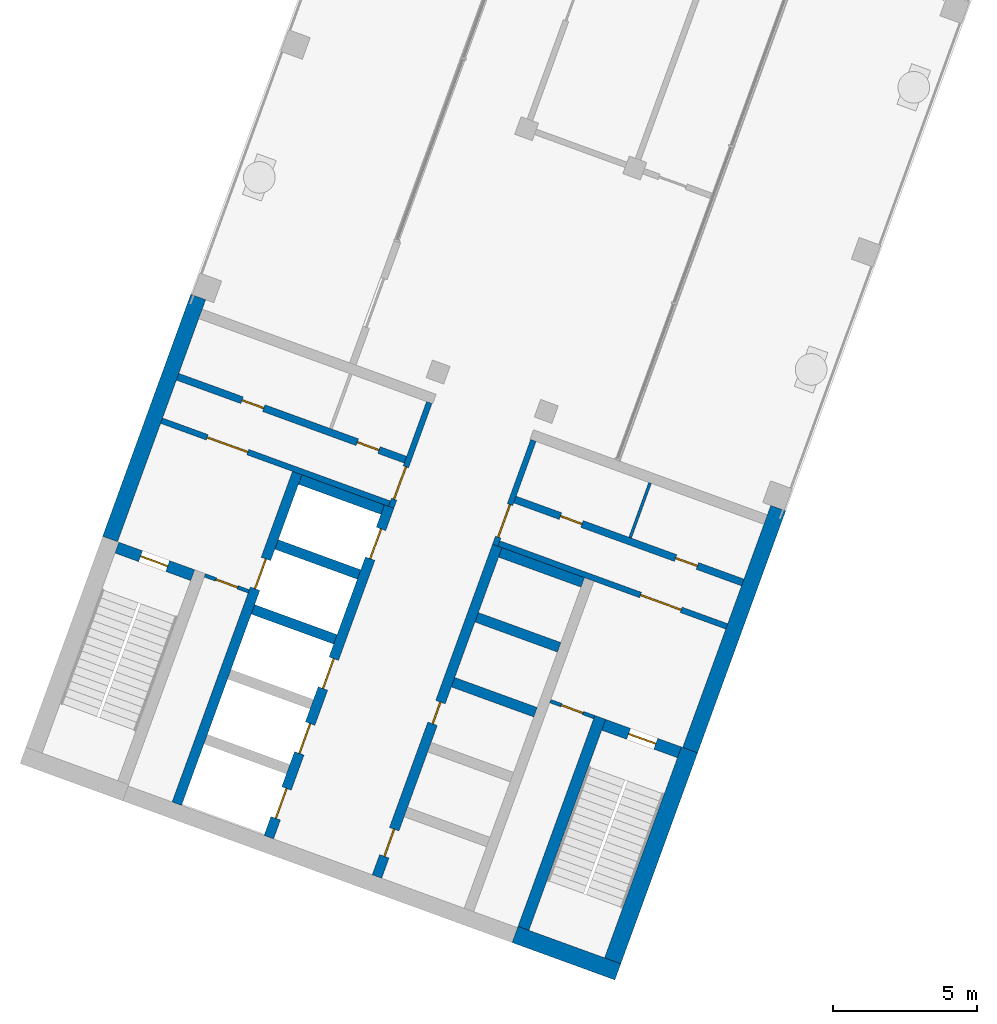
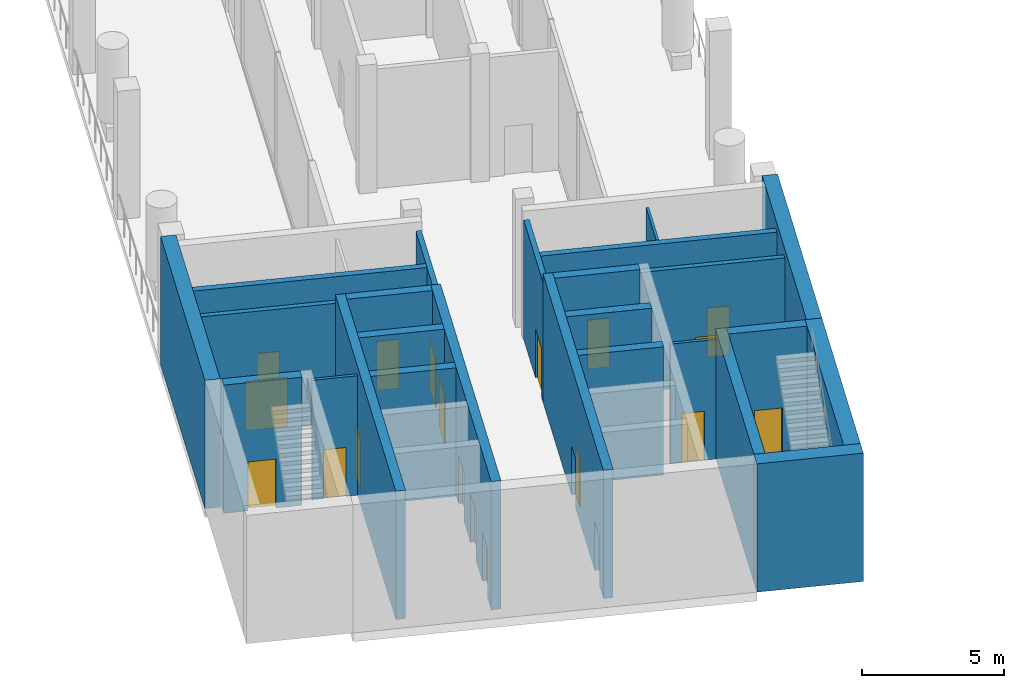
# One storey, part 8 of 17: 25 walls, 19 doors, 19 openings.
"""IFC4 building model written with IfcOpenShell, lengths in metres."""

from ifc_helpers import new_model, si_unit, direction, frame, frame_2d, origin, place, context, subcontext, project, spatial, rectangle, extrude, material, layer, layer_set, type_object, element, fill, save


model = new_model("IFC4")

# Units and contexts
model_context = context("Model", 3, precision=1e-05, world=origin(), true_north=direction((0.0, 1.0)))
body_context = subcontext(model_context, "Body", "Model", "MODEL_VIEW")
ifc_project = project(units=[si_unit("LENGTHUNIT", "METRE"), si_unit("AREAUNIT", "SQUARE_METRE"), si_unit("VOLUMEUNIT", "CUBIC_METRE"), si_unit("PLANEANGLEUNIT", "RADIAN"), si_unit("MASSUNIT", "GRAM", prefix="KILO")], contexts=[model_context])

# Site, building, storey
site_placement = place(None, origin())
site = spatial("IfcSite", under=ifc_project, at=site_placement, CompositionType="ELEMENT")
building_placement = place(site_placement, origin())
building = spatial("IfcBuilding", under=site, at=building_placement, Name="Skarvind Civic Tower", CompositionType="ELEMENT")
storey_placement = place(building_placement, frame((0.0, 0.0, 182.5)))
storey = spatial("IfcBuildingStorey", under=building, at=storey_placement, Name="L43", CompositionType="ELEMENT", Elevation=182.5)

# Wall, opening, door
ifc_material_1 = material(Name="Fire-rated masonry partition", Category="masonry")
ifc_layer_1 = layer(ifc_material_1, 0.199951171875)
ifc_layer_set_1 = layer_set([ifc_layer_1], Name="Core enclosure wall 200")
wall_type_1 = type_object("IfcWallType", Name="Core enclosure wall 200", PredefinedType="PARTITIONING", material=ifc_layer_set_1)
wall_1_placement = place(storey_placement, frame((31.45947265625, 93.67822265625, 0.0), z_axis=(0.0, 0.0, 1.0), x_axis=(0.341985870128, 0.939705094502, 0.0)))
wall_1 = element("IfcWall", 1, at=wall_1_placement, inside=storey, type_object=wall_type_1, Name="Core wall C2", PredefinedType="PARTITIONING", context=body_context, shape_type="SweptSolid", body=[
    extrude(rectangle(XDim=3.875, YDim=0.199951171875, at=frame_2d((1.9375, 0.0))), origin(), (0.0, 0.0, 1.0), 5.125),
])
opening_1_placement = place(wall_1_placement, frame((0.300048828125, 0.0, 0.0)))
opening_1 = element("IfcOpeningElement", 2, at=opening_1_placement, cuts=wall_1, Name="Opening D-L43-C2-07", PredefinedType="OPENING", context=body_context, shape_type="SweptSolid", body=[
    extrude(rectangle(XDim=1.199951171875, YDim=2.10009765625, at=frame_2d((0.60009765625, 1.050048828125))), frame((0.0, 0.10986328125, 0.0), z_axis=(0.0, -1.0, 0.0), x_axis=(1.0, 0.0, 0.0)), (0.0, 0.0, 1.0), 0.219970703125),
])
ifc_material_2 = material(Name="Fire-rated steel door", Category="steel")
door_type_1 = type_object("IfcDoorType", Name="Core lobby door 1200", OperationType="NOTDEFINED", PredefinedType="DOOR", material=ifc_material_2)
door_1_placement = place(opening_1_placement, origin())
door_1 = element("IfcDoor", 3, at=door_1_placement, inside=storey, type_object=door_type_1, Name="Fire door", OperationType="DOUBLE_DOOR_SINGLE_SWING", OverallHeight=2.10009765625, OverallWidth=1.199951171875, PredefinedType="DOOR", context=body_context, shape_type="SweptSolid", body=[
    extrude(rectangle(XDim=1.199951171875, YDim=2.10009765625, at=frame_2d((0.60009765625, 1.050048828125))), frame((0.0, 0.02490234375, 0.0), z_axis=(0.0, -1.0, 0.0), x_axis=(1.0, 0.0, 0.0)), (0.0, 0.0, 1.0), 0.050048828125),
])
fill(opening_1, door_1)

wall_2_placement = place(storey_placement, frame((23.482666015625, 96.68798828125, 0.0), z_axis=(0.0, 0.0, 1.0), x_axis=(0.939691007314, -0.342024576271, 0.0)))
wall_2 = element("IfcWall", 4, at=wall_2_placement, inside=storey, type_object=wall_type_1, Name="Core wall C2", PredefinedType="PARTITIONING", context=body_context, shape_type="SweptSolid", body=[
    extrude(rectangle(XDim=8.425048828125, YDim=0.199951171875, at=frame_2d((4.21240234375, 0.0))), origin(), (0.0, 0.0, 1.0), 5.125),
])
opening_2_placement = place(wall_2_placement, frame((1.6875, 0.0, 0.0)))
opening_2 = element("IfcOpeningElement", 5, at=opening_2_placement, cuts=wall_2, Name="Opening D-L43-C2-08", PredefinedType="OPENING", context=body_context, shape_type="SweptSolid", body=[
    extrude(rectangle(XDim=1.5, YDim=2.10009765625, at=frame_2d((0.75, 1.050048828125))), frame((0.0, 0.10986328125, 0.0), z_axis=(0.0, -1.0, 0.0), x_axis=(1.0, 0.0, 0.0)), (0.0, 0.0, 1.0), 0.219970703125),
])
door_type_2 = type_object("IfcDoorType", Name="Fire door 1500", OperationType="NOTDEFINED", PredefinedType="DOOR", material=ifc_material_2)
door_2_placement = place(opening_2_placement, origin())
door_2 = element("IfcDoor", 6, at=door_2_placement, inside=storey, type_object=door_type_2, Name="Fire door", OperationType="DOUBLE_DOOR_SINGLE_SWING", OverallHeight=2.10009765625, OverallWidth=1.5, PredefinedType="DOOR", context=body_context, shape_type="SweptSolid", body=[
    extrude(rectangle(XDim=1.5, YDim=2.10009765625, at=frame_2d((0.75, 1.050048828125))), frame((0.0, 0.02490234375, 0.0), z_axis=(0.0, -1.0, 0.0), x_axis=(1.0, 0.0, 0.0)), (0.0, 0.0, 1.0), 0.050048828125),
])
fill(opening_2, door_2)

wall_3_placement = place(storey_placement, frame((36.402587890625, 96.0029296875, 0.0), z_axis=(0.0, 0.0, 1.0), x_axis=(-0.342041503764, -0.939684845947, 0.0)))
wall_3 = element("IfcWall", 7, at=wall_3_placement, inside=storey, type_object=wall_type_1, Name="Core wall C2", PredefinedType="PARTITIONING", context=body_context, shape_type="SweptSolid", body=[
    extrude(rectangle(XDim=3.875, YDim=0.199951171875, at=frame_2d((1.9375, 0.0))), origin(), (0.0, 0.0, 1.0), 5.125),
])
opening_3_placement = place(wall_3_placement, frame((2.375, 0.0, 0.0)))
opening_3 = element("IfcOpeningElement", 8, at=opening_3_placement, cuts=wall_3, Name="Opening D-L43-C2-13", PredefinedType="OPENING", context=body_context, shape_type="SweptSolid", body=[
    extrude(rectangle(XDim=1.199951171875, YDim=2.10009765625, at=frame_2d((0.60009765625, 1.050048828125))), frame((0.0, 0.10986328125, 0.0), z_axis=(0.0, -1.0, 0.0), x_axis=(1.0, 0.0, 0.0)), (0.0, 0.0, 1.0), 0.219970703125),
])
door_3_placement = place(opening_3_placement, origin())
door_3 = element("IfcDoor", 9, at=door_3_placement, inside=storey, type_object=door_type_1, Name="Fire door", OperationType="DOUBLE_DOOR_SINGLE_SWING", OverallHeight=2.10009765625, OverallWidth=1.199951171875, PredefinedType="DOOR", context=body_context, shape_type="SweptSolid", body=[
    extrude(rectangle(XDim=1.199951171875, YDim=2.10009765625, at=frame_2d((0.60009765625, 1.050048828125))), frame((0.0, 0.02490234375, 0.0), z_axis=(0.0, -1.0, 0.0), x_axis=(1.0, 0.0, 0.0)), (0.0, 0.0, 1.0), 0.050048828125),
])
fill(opening_3, door_3)

wall_4_placement = place(storey_placement, frame((35.205322265625, 92.42138671875, 0.0), z_axis=(0.0, 0.0, 1.0), x_axis=(0.939691007314, -0.342024576271, 0.0)))
wall_4 = element("IfcWall", 10, at=wall_4_placement, inside=storey, type_object=wall_type_1, Name="Core wall C2", PredefinedType="PARTITIONING", context=body_context, shape_type="SweptSolid", body=[
    extrude(rectangle(XDim=8.425048828125, YDim=0.199951171875, at=frame_2d((4.21240234375, 0.0))), origin(), (0.0, 0.0, 1.0), 5.125),
])
opening_4_placement = place(wall_4_placement, frame((5.237548828125, 0.0, 0.0)))
opening_4 = element("IfcOpeningElement", 11, at=opening_4_placement, cuts=wall_4, Name="Opening D-L43-C2-14", PredefinedType="OPENING", context=body_context, shape_type="SweptSolid", body=[
    extrude(rectangle(XDim=1.5, YDim=2.10009765625, at=frame_2d((0.75, 1.050048828125))), frame((0.0, 0.10986328125, 0.0), z_axis=(0.0, -1.0, 0.0), x_axis=(1.0, 0.0, 0.0)), (0.0, 0.0, 1.0), 0.219970703125),
])
door_4_placement = place(opening_4_placement, origin())
door_4 = element("IfcDoor", 12, at=door_4_placement, inside=storey, type_object=door_type_2, Name="Fire door", OperationType="DOUBLE_DOOR_SINGLE_SWING", OverallHeight=2.10009765625, OverallWidth=1.5, PredefinedType="DOOR", context=body_context, shape_type="SweptSolid", body=[
    extrude(rectangle(XDim=1.5, YDim=2.10009765625, at=frame_2d((0.75, 1.050048828125))), frame((0.0, 0.02490234375, 0.0), z_axis=(0.0, -1.0, 0.0), x_axis=(1.0, 0.0, 0.0)), (0.0, 0.0, 1.0), 0.050048828125),
])
fill(opening_4, door_4)

# Wall
ifc_material_3 = material(Name="Fire-rated plasterboard partition")
ifc_layer_2 = layer(ifc_material_3, 0.10009765625)
ifc_layer_set_2 = layer_set([ifc_layer_2], Name="Core partition wall 100")
wall_type_2 = type_object("IfcWallType", Name="Core partition wall 100", PredefinedType="PARTITIONING", material=ifc_layer_set_2)
wall_5_placement = place(storey_placement, frame((40.457275390625, 94.527099609375, 0.0), z_axis=(0.0, 0.0, 1.0), x_axis=(-0.342043138314, -0.939684250976, 0.0)))
element("IfcWall", 13, at=wall_5_placement, inside=storey, type_object=wall_type_2, Name="Core wall C2", PredefinedType="PARTITIONING", context=body_context, shape_type="SweptSolid", body=[
    extrude(rectangle(XDim=2.02490234375, YDim=0.10009765625, at=frame_2d((1.012451171875, 0.0))), origin(), (0.0, 0.0, 1.0), 5.125),
])

# Wall, openings, doors
ifc_material_4 = material(Name="Concrete C60", Category="concrete")
ifc_layer_3 = layer(ifc_material_4, 0.35009765625)
ifc_layer_set_3 = layer_set([ifc_layer_3], Name="Core wall 350 C60")
wall_type_3 = type_object("IfcWallType", Name="Core wall 350 C60", PredefinedType="SHEAR", material=ifc_layer_set_3)
wall_6_placement = place(storey_placement, frame((30.966552734375, 80.84814453125, 0.0), z_axis=(0.0, 0.0, 1.0), x_axis=(0.34201563943, 0.939694260058, 0.0)))
wall_6 = element("IfcWall", 14, at=wall_6_placement, inside=storey, type_object=wall_type_3, Name="Core wall C2 south lift row front L43", PredefinedType="SHEAR", context=body_context, shape_type="SweptSolid", body=[
    extrude(rectangle(XDim=12.22509765625, YDim=0.35009765625, at=frame_2d((6.112548828125, 0.0))), origin(), (0.0, 0.0, 1.0), 5.5),
])
opening_5_placement = place(wall_6_placement, frame((0.75, 0.0, 0.0)))
opening_5 = element("IfcOpeningElement", 15, at=opening_5_placement, cuts=wall_6, Name="Opening D-L43-C2-05", PredefinedType="OPENING", context=body_context, shape_type="SweptSolid", body=[
    extrude(rectangle(XDim=1.0, YDim=2.10009765625, at=frame_2d((0.5, 1.050048828125))), frame((0.0, 0.18505859375, 0.0), z_axis=(0.0, -1.0, 0.0), x_axis=(1.0, 0.0, 0.0)), (0.0, 0.0, 1.0), 0.3701171875),
])
opening_6_placement = place(wall_6_placement, frame((5.64990234375, 0.0, 0.0)))
opening_6 = element("IfcOpeningElement", 16, at=opening_6_placement, cuts=wall_6, Name="Opening D-L43-C2-06", PredefinedType="OPENING", context=body_context, shape_type="SweptSolid", body=[
    extrude(rectangle(XDim=0.800048828125, YDim=2.10009765625, at=frame_2d((0.39990234375, 1.050048828125))), frame((0.0, 0.18505859375, 0.0), z_axis=(0.0, -1.0, 0.0), x_axis=(1.0, 0.0, 0.0)), (0.0, 0.0, 1.0), 0.3701171875),
])
door_type_3 = type_object("IfcDoorType", Name="Core riser door 800", OperationType="NOTDEFINED", PredefinedType="DOOR", material=ifc_material_2)
door_5_placement = place(opening_6_placement, origin())
door_5 = element("IfcDoor", 17, at=door_5_placement, inside=storey, type_object=door_type_3, Name="Riser door", OperationType="SINGLE_SWING_RIGHT", OverallHeight=2.10009765625, OverallWidth=0.800048828125, PredefinedType="DOOR", context=body_context, shape_type="SweptSolid", body=[
    extrude(rectangle(XDim=0.800048828125, YDim=2.10009765625, at=frame_2d((0.39990234375, 1.050048828125))), frame((0.0, 0.02490234375, 0.0), z_axis=(0.0, -1.0, 0.0), x_axis=(1.0, 0.0, 0.0)), (0.0, 0.0, 1.0), 0.050048828125),
])
fill(opening_6, door_5)
door_type_4 = type_object("IfcDoorType", Name="Fire door 1000", OperationType="NOTDEFINED", PredefinedType="DOOR", material=ifc_material_2)
door_6_placement = place(opening_5_placement, origin())
door_6 = element("IfcDoor", 18, at=door_6_placement, inside=storey, type_object=door_type_4, Name="Fire door", OperationType="SINGLE_SWING_LEFT", OverallHeight=2.10009765625, OverallWidth=1.0, PredefinedType="DOOR", context=body_context, shape_type="SweptSolid", body=[
    extrude(rectangle(XDim=1.0, YDim=2.10009765625, at=frame_2d((0.5, 1.050048828125))), frame((0.0, 0.02490234375, 0.0), z_axis=(0.0, -1.0, 0.0), x_axis=(1.0, 0.0, 0.0)), (0.0, 0.0, 1.0), 0.050048828125),
])
fill(opening_5, door_6)

# Walls
for number, where, z_axis, x_axis, name in (
    (19, (36.4765625, 86.557861328125, 0.0), (0.0, 0.0, 1.0), (-0.939683528043, 0.3420451244, 0.0), "Core wall C2 south lift row division 3 L43"),
    (20, (37.297607421875, 88.813232421875, 0.0), (0.0, 0.0, 1.0), (-0.939692892192, 0.342019397644, 0.0), "Core wall C2 south lift row division 4 L43"),
    (21, (38.118408203125, 91.068359375, 0.0), (0.0, 0.0, 1.0), (-0.939692892192, 0.342019397644, 0.0), "Core wall C2 south lift row division 5 L43"),
):
    element("IfcWall", number, at=place(storey_placement, frame(where, z_axis=z_axis, x_axis=x_axis)), inside=storey, type_object=wall_type_3, Name=name, PredefinedType="SHEAR", context=body_context, shape_type="SweptSolid", body=[
        extrude(rectangle(XDim=3.050048828125, YDim=0.35009765625, at=frame_2d((1.52490234375, 0.0))), origin(), (0.0, 0.0, 1.0), 5.5),
    ])

# Wall, openings, doors
wall_7_placement = place(storey_placement, frame((27.207763671875, 82.21630859375, 0.0), z_axis=(0.0, 0.0, 1.0), x_axis=(0.34201563943, 0.939694260058, 0.0)))
wall_7 = element("IfcWall", 22, at=wall_7_placement, inside=storey, type_object=wall_type_3, Name="Core wall C2 north lift row front L43", PredefinedType="SHEAR", context=body_context, shape_type="SweptSolid", body=[
    extrude(rectangle(XDim=12.22509765625, YDim=0.35009765625, at=frame_2d((6.112548828125, 0.0))), origin(), (0.0, 0.0, 1.0), 5.5),
])
opening_7_placement = place(wall_7_placement, frame((0.699951171875, 0.0, 0.0)))
opening_7 = element("IfcOpeningElement", 23, at=opening_7_placement, cuts=wall_7, Name="Opening LD45201", PredefinedType="OPENING", context=body_context, shape_type="SweptSolid", body=[
    extrude(rectangle(XDim=1.10009765625, YDim=2.10009765625, at=frame_2d((0.550048828125, 1.050048828125))), frame((0.0, 0.18505859375, 0.0), z_axis=(0.0, -1.0, 0.0), x_axis=(1.0, 0.0, 0.0)), (0.0, 0.0, 1.0), 0.3701171875),
])
opening_8_placement = place(wall_7_placement, frame((3.10009765625, 0.0, 0.0)))
opening_8 = element("IfcOpeningElement", 24, at=opening_8_placement, cuts=wall_7, Name="Opening LD45202", PredefinedType="OPENING", context=body_context, shape_type="SweptSolid", body=[
    extrude(rectangle(XDim=1.10009765625, YDim=2.10009765625, at=frame_2d((0.550048828125, 1.050048828125))), frame((0.0, 0.18505859375, 0.0), z_axis=(0.0, -1.0, 0.0), x_axis=(1.0, 0.0, 0.0)), (0.0, 0.0, 1.0), 0.3701171875),
])
opening_9_placement = place(wall_7_placement, frame((5.5, 0.0, 0.0)))
opening_9 = element("IfcOpeningElement", 25, at=opening_9_placement, cuts=wall_7, Name="Opening LD45203", PredefinedType="OPENING", context=body_context, shape_type="SweptSolid", body=[
    extrude(rectangle(XDim=1.10009765625, YDim=2.10009765625, at=frame_2d((0.550048828125, 1.050048828125))), frame((0.0, 0.18505859375, 0.0), z_axis=(0.0, -1.0, 0.0), x_axis=(1.0, 0.0, 0.0)), (0.0, 0.0, 1.0), 0.3701171875),
])
opening_10_placement = place(wall_7_placement, frame((10.300048828125, 0.0, 0.0)))
opening_10 = element("IfcOpeningElement", 26, at=opening_10_placement, cuts=wall_7, Name="Opening LD45205", PredefinedType="OPENING", context=body_context, shape_type="SweptSolid", body=[
    extrude(rectangle(XDim=1.10009765625, YDim=2.10009765625, at=frame_2d((0.550048828125, 1.050048828125))), frame((0.0, 0.18505859375, 0.0), z_axis=(0.0, -1.0, 0.0), x_axis=(1.0, 0.0, 0.0)), (0.0, 0.0, 1.0), 0.3701171875),
])
ifc_material_5 = material(Name="Stainless steel landing door", Category="steel")
door_type_5 = type_object("IfcDoorType", Name="Lift landing door 1100", OperationType="DOUBLE_DOOR_SLIDING", PredefinedType="DOOR", material=ifc_material_5)
door_7_placement = place(opening_7_placement, origin())
door_7 = element("IfcDoor", 27, at=door_7_placement, inside=storey, type_object=door_type_5, Name="Lift landing door", OperationType="DOUBLE_DOOR_SLIDING", OverallHeight=2.10009765625, OverallWidth=1.10009765625, PredefinedType="DOOR", context=body_context, shape_type="SweptSolid", body=[
    extrude(rectangle(XDim=1.10009765625, YDim=2.10009765625, at=frame_2d((0.550048828125, 1.050048828125))), frame((0.0, 0.02490234375, 0.0), z_axis=(0.0, -1.0, 0.0), x_axis=(1.0, 0.0, 0.0)), (0.0, 0.0, 1.0), 0.050048828125),
])
fill(opening_7, door_7)
door_8_placement = place(opening_8_placement, origin())
door_8 = element("IfcDoor", 28, at=door_8_placement, inside=storey, type_object=door_type_5, Name="Lift landing door", OperationType="DOUBLE_DOOR_SLIDING", OverallHeight=2.10009765625, OverallWidth=1.10009765625, PredefinedType="DOOR", context=body_context, shape_type="SweptSolid", body=[
    extrude(rectangle(XDim=1.10009765625, YDim=2.10009765625, at=frame_2d((0.550048828125, 1.050048828125))), frame((0.0, 0.02490234375, 0.0), z_axis=(0.0, -1.0, 0.0), x_axis=(1.0, 0.0, 0.0)), (0.0, 0.0, 1.0), 0.050048828125),
])
fill(opening_8, door_8)
door_9_placement = place(opening_9_placement, origin())
door_9 = element("IfcDoor", 29, at=door_9_placement, inside=storey, type_object=door_type_5, Name="Lift landing door", OperationType="DOUBLE_DOOR_SLIDING", OverallHeight=2.10009765625, OverallWidth=1.10009765625, PredefinedType="DOOR", context=body_context, shape_type="SweptSolid", body=[
    extrude(rectangle(XDim=1.10009765625, YDim=2.10009765625, at=frame_2d((0.550048828125, 1.050048828125))), frame((0.0, 0.02490234375, 0.0), z_axis=(0.0, -1.0, 0.0), x_axis=(1.0, 0.0, 0.0)), (0.0, 0.0, 1.0), 0.050048828125),
])
fill(opening_9, door_9)
door_10_placement = place(opening_10_placement, origin())
door_10 = element("IfcDoor", 30, at=door_10_placement, inside=storey, type_object=door_type_5, Name="Lift landing door", OperationType="DOUBLE_DOOR_SLIDING", OverallHeight=2.10009765625, OverallWidth=1.10009765625, PredefinedType="DOOR", context=body_context, shape_type="SweptSolid", body=[
    extrude(rectangle(XDim=1.10009765625, YDim=2.10009765625, at=frame_2d((0.550048828125, 1.050048828125))), frame((0.0, 0.02490234375, 0.0), z_axis=(0.0, -1.0, 0.0), x_axis=(1.0, 0.0, 0.0)), (0.0, 0.0, 1.0), 0.050048828125),
])
fill(opening_10, door_10)

# Wall, opening, door
wall_8_placement = place(storey_placement, frame((24.0126953125, 83.379150390625, 0.0), z_axis=(0.0, 0.0, 1.0), x_axis=(0.34201563943, 0.939694260058, 0.0)))
wall_8 = element("IfcWall", 31, at=wall_8_placement, inside=storey, type_object=wall_type_3, Name="Core wall C2 north lift row back L43", PredefinedType="SHEAR", context=body_context, shape_type="SweptSolid", body=[
    extrude(rectangle(XDim=12.22509765625, YDim=0.35009765625, at=frame_2d((6.112548828125, 0.0))), origin(), (0.0, 0.0, 1.0), 5.5),
])
opening_11_placement = place(wall_8_placement, frame((7.949951171875, 0.0, 0.0)))
opening_11 = element("IfcOpeningElement", 32, at=opening_11_placement, cuts=wall_8, Name="Opening LD45204", PredefinedType="OPENING", context=body_context, shape_type="SweptSolid", body=[
    extrude(rectangle(XDim=1.10009765625, YDim=2.10009765625, at=frame_2d((0.550048828125, 1.050048828125))), frame((0.0, 0.18505859375, 0.0), z_axis=(0.0, -1.0, 0.0), x_axis=(1.0, 0.0, 0.0)), (0.0, 0.0, 1.0), 0.3701171875),
])
door_11_placement = place(opening_11_placement, origin())
door_11 = element("IfcDoor", 33, at=door_11_placement, inside=storey, type_object=door_type_5, Name="Lift landing door", OperationType="DOUBLE_DOOR_SLIDING", OverallHeight=2.10009765625, OverallWidth=1.10009765625, PredefinedType="DOOR", context=body_context, shape_type="SweptSolid", body=[
    extrude(rectangle(XDim=1.10009765625, YDim=2.10009765625, at=frame_2d((0.550048828125, 1.050048828125))), frame((0.0, 0.02490234375, 0.0), z_axis=(0.0, -1.0, 0.0), x_axis=(1.0, 0.0, 0.0)), (0.0, 0.0, 1.0), 0.050048828125),
])
fill(opening_11, door_11)

# Walls
wall_9_placement = place(storey_placement, frame((29.52294921875, 89.0888671875, 0.0), z_axis=(0.0, 0.0, 1.0), x_axis=(-0.939692892192, 0.342019397644, 0.0)))
element("IfcWall", 34, at=wall_9_placement, inside=storey, type_object=wall_type_3, Name="Core wall C2 north lift row division 3 L43", PredefinedType="SHEAR", context=body_context, shape_type="SweptSolid", body=[
    extrude(rectangle(XDim=3.050048828125, YDim=0.35009765625, at=frame_2d((1.52490234375, 0.0))), origin(), (0.0, 0.0, 1.0), 5.5),
])
wall_10_placement = place(storey_placement, frame((30.34375, 91.34423828125, 0.0), z_axis=(0.0, 0.0, 1.0), x_axis=(-0.939709254651, 0.341974438698, 0.0)))
element("IfcWall", 35, at=wall_10_placement, inside=storey, type_object=wall_type_3, Name="Core wall C2 north lift row division 4 L43", PredefinedType="SHEAR", context=body_context, shape_type="SweptSolid", body=[
    extrude(rectangle(XDim=3.0498046875, YDim=0.35009765625, at=frame_2d((1.52490234375, 0.0))), origin(), (0.0, 0.0, 1.0), 5.5),
])
wall_11_placement = place(storey_placement, frame((31.16455078125, 93.599365234375, 0.0), z_axis=(0.0, 0.0, 1.0), x_axis=(-0.939683528043, 0.3420451244, 0.0)))
element("IfcWall", 36, at=wall_11_placement, inside=storey, type_object=wall_type_3, Name="Core wall C2 north lift row division 5 L43", PredefinedType="SHEAR", context=body_context, shape_type="SweptSolid", body=[
    extrude(rectangle(XDim=3.050048828125, YDim=0.35009765625, at=frame_2d((1.52490234375, 0.0))), origin(), (0.0, 0.0, 1.0), 5.5),
])
ifc_layer_4 = layer(ifc_material_4, 0.39990234375)
ifc_layer_set_4 = layer_set([ifc_layer_4], Name="Core wall 400 C60")
wall_type_4 = type_object("IfcWallType", Name="Core wall 400 C60", PredefinedType="SHEAR", material=ifc_layer_set_4)
wall_12_placement = place(storey_placement, frame((36.057861328125, 79.04833984375, 0.0), z_axis=(0.0, 0.0, 1.0), x_axis=(0.342016982193, 0.939693771338, 0.0)))
element("IfcWall", 37, at=wall_12_placement, inside=storey, type_object=wall_type_4, Name="Core wall C2 south stair inner L43", PredefinedType="SHEAR", context=body_context, shape_type="SweptSolid", body=[
    extrude(rectangle(XDim=7.800048828125, YDim=0.39990234375, at=frame_2d((3.89990234375, 0.0))), origin(), (0.0, 0.0, 1.0), 5.5),
])

# Wall, opening, door
wall_13_placement = place(storey_placement, frame((41.476318359375, 85.163818359375, 0.0), z_axis=(0.0, 0.0, 1.0), x_axis=(-0.939678810556, 0.342058084236, 0.0)))
wall_13 = element("IfcWall", 38, at=wall_13_placement, inside=storey, type_object=wall_type_4, Name="Core wall C2 south stair end L43", PredefinedType="SHEAR", context=body_context, shape_type="SweptSolid", body=[
    extrude(rectangle(XDim=2.800048828125, YDim=0.39990234375, at=frame_2d((1.39990234375, 0.0))), origin(), (0.0, 0.0, 1.0), 5.5),
])
opening_12_placement = place(wall_13_placement, frame((0.875, 0.0, 0.0)))
opening_12 = element("IfcOpeningElement", 39, at=opening_12_placement, cuts=wall_13, Name="Opening D-L43-C2-15", PredefinedType="OPENING", context=body_context, shape_type="SweptSolid", body=[
    extrude(rectangle(XDim=1.0, YDim=2.10009765625, at=frame_2d((0.5, 1.050048828125))), frame((0.0, 0.2099609375, 0.0), z_axis=(0.0, -1.0, 0.0), x_axis=(1.0, 0.0, 0.0)), (0.0, 0.0, 1.0), 0.419921875),
])
door_12_placement = place(opening_12_placement, origin())
door_12 = element("IfcDoor", 40, at=door_12_placement, inside=storey, type_object=door_type_4, Name="Fire door", OperationType="SINGLE_SWING_RIGHT", OverallHeight=2.10009765625, OverallWidth=1.0, PredefinedType="DOOR", context=body_context, shape_type="SweptSolid", body=[
    extrude(rectangle(XDim=1.0, YDim=2.10009765625, at=frame_2d((0.5, 1.050048828125))), frame((0.0, 0.02490234375, 0.0), z_axis=(0.0, -1.0, 0.0), x_axis=(1.0, 0.0, 0.0)), (0.0, 0.0, 1.0), 0.050048828125),
])
fill(opening_12, door_12)

wall_14_placement = place(storey_placement, frame((24.56201171875, 91.3203125, 0.0), z_axis=(0.0, 0.0, 1.0), x_axis=(-0.939717030584, 0.341953070509, 0.0)))
wall_14 = element("IfcWall", 41, at=wall_14_placement, inside=storey, type_object=wall_type_4, Name="Core wall C2 north stair end L43", PredefinedType="SHEAR", context=body_context, shape_type="SweptSolid", body=[
    extrude(rectangle(XDim=2.800048828125, YDim=0.39990234375, at=frame_2d((1.39990234375, 0.0))), origin(), (0.0, 0.0, 1.0), 5.5),
])
opening_13_placement = place(wall_14_placement, frame((0.925048828125, 0.0, 0.0)))
opening_13 = element("IfcOpeningElement", 42, at=opening_13_placement, cuts=wall_14, Name="Opening D-L43-C2-09", PredefinedType="OPENING", context=body_context, shape_type="SweptSolid", body=[
    extrude(rectangle(XDim=1.0, YDim=2.10009765625, at=frame_2d((0.5, 1.050048828125))), frame((0.0, 0.2099609375, 0.0), z_axis=(0.0, -1.0, 0.0), x_axis=(1.0, 0.0, 0.0)), (0.0, 0.0, 1.0), 0.419921875),
])
door_13_placement = place(opening_13_placement, origin())
door_13 = element("IfcDoor", 43, at=door_13_placement, inside=storey, type_object=door_type_4, Name="Fire door", OperationType="SINGLE_SWING_LEFT", OverallHeight=2.10009765625, OverallWidth=1.0, PredefinedType="DOOR", context=body_context, shape_type="SweptSolid", body=[
    extrude(rectangle(XDim=1.0, YDim=2.10009765625, at=frame_2d((0.5, 1.050048828125))), frame((0.0, 0.02490234375, 0.0), z_axis=(0.0, -1.0, 0.0), x_axis=(1.0, 0.0, 0.0)), (0.0, 0.0, 1.0), 0.050048828125),
])
fill(opening_13, door_13)

# Walls
ifc_layer_5 = layer(ifc_material_4, 0.550048828125)
ifc_layer_set_5 = layer_set([ifc_layer_5], Name="Core wall 550 C60")
wall_type_5 = type_object("IfcWallType", Name="Core wall 550 C60", PredefinedType="SHEAR", material=ifc_layer_set_5)
wall_15_placement = place(storey_placement, frame((41.85009765625, 85.24072265625, 0.0), z_axis=(0.0, 0.0, 1.0), x_axis=(0.34201902012, 0.939693029598, 0.0)))
element("IfcWall", 44, at=wall_15_placement, inside=storey, type_object=wall_type_5, Name="Core wall C2 south side L43", PredefinedType="SHEAR", context=body_context, shape_type="SweptSolid", body=[
    extrude(rectangle(XDim=8.949951171875, YDim=0.550048828125, at=frame_2d((4.47509765625, 0.0))), origin(), (0.0, 0.0, 1.0), 5.5),
])
wall_16_placement = place(storey_placement, frame((21.69384765625, 92.576904296875, 0.0), z_axis=(0.0, 0.0, 1.0), x_axis=(0.342010253184, 0.939696220444, 0.0)))
element("IfcWall", 45, at=wall_16_placement, inside=storey, type_object=wall_type_5, Name="Core wall C2 north side L43", PredefinedType="SHEAR", context=body_context, shape_type="SweptSolid", body=[
    extrude(rectangle(XDim=8.9501953125, YDim=0.550048828125, at=frame_2d((4.47509765625, 0.0))), origin(), (0.0, 0.0, 1.0), 5.5),
])
ifc_layer_6 = layer(ifc_material_4, 0.60009765625)
ifc_layer_set_6 = layer_set([ifc_layer_6], Name="Core wall 600 C60")
wall_type_6 = type_object("IfcWallType", Name="Core wall 600 C60", PredefinedType="SHEAR", material=ifc_layer_set_6)
wall_17_placement = place(storey_placement, frame((39.338134765625, 77.53515625, 0.0), z_axis=(0.0, 0.0, 1.0), x_axis=(-0.939701471648, 0.341995824804, 0.0)))
element("IfcWall", 46, at=wall_17_placement, inside=storey, type_object=wall_type_6, Name="Core wall C2 tip at the south stair L43", PredefinedType="SHEAR", context=body_context, shape_type="SweptSolid", body=[
    extrude(rectangle(XDim=3.800048828125, YDim=0.60009765625, at=frame_2d((1.89990234375, 0.0))), origin(), (0.0, 0.0, 1.0), 5.5),
])
wall_18_placement = place(storey_placement, frame((39.158935546875, 77.919677734375, 0.0), z_axis=(0.0, 0.0, 1.0), x_axis=(0.342016982193, 0.939693771338, 0.0)))
element("IfcWall", 47, at=wall_18_placement, inside=storey, type_object=wall_type_6, Name="Core wall C2 south side at the stair L43", PredefinedType="SHEAR", context=body_context, shape_type="SweptSolid", body=[
    extrude(rectangle(XDim=7.800048828125, YDim=0.60009765625, at=frame_2d((3.89990234375, 0.0))), origin(), (0.0, 0.0, 1.0), 5.5),
])

# Wall, opening, door
ifc_layer_7 = layer(ifc_material_1, 0.125)
ifc_layer_set_7 = layer_set([ifc_layer_7], Name="Riser wall 125")
wall_type_7 = type_object("IfcWallType", Name="Riser wall 125", PredefinedType="PARTITIONING", material=ifc_layer_set_7)
wall_19_placement = place(storey_placement, frame((24.98486328125, 91.3125, 0.0), z_axis=(0.0, 0.0, 1.0), x_axis=(0.939705651352, -0.341984340019, 0.0)))
wall_19 = element("IfcWall", 48, at=wall_19_placement, inside=storey, type_object=wall_type_7, Name="Core wall C2", PredefinedType="PARTITIONING", context=body_context, shape_type="SweptSolid", body=[
    extrude(rectangle(XDim=1.624755859375, YDim=0.125, at=frame_2d((0.8125, 0.0))), origin(), (0.0, 0.0, 1.0), 5.125),
])
opening_14_placement = place(wall_19_placement, frame((0.41259765625, 0.0, 0.0)))
opening_14 = element("IfcOpeningElement", 49, at=opening_14_placement, cuts=wall_19, Name="Opening D-L43-C2-10", PredefinedType="OPENING", context=body_context, shape_type="SweptSolid", body=[
    extrude(rectangle(XDim=0.800048828125, YDim=2.10009765625, at=frame_2d((0.39990234375, 1.050048828125))), frame((0.0, 0.072509765625, 0.0), z_axis=(0.0, -1.0, 0.0), x_axis=(1.0, 0.0, 0.0)), (0.0, 0.0, 1.0), 0.14501953125),
])
door_14_placement = place(opening_14_placement, origin())
door_14 = element("IfcDoor", 50, at=door_14_placement, inside=storey, type_object=door_type_3, Name="Riser door", OperationType="SINGLE_SWING_RIGHT", OverallHeight=2.10009765625, OverallWidth=0.800048828125, PredefinedType="DOOR", context=body_context, shape_type="SweptSolid", body=[
    extrude(rectangle(XDim=0.800048828125, YDim=2.10009765625, at=frame_2d((0.39990234375, 1.050048828125))), frame((0.0, 0.02490234375, 0.0), z_axis=(0.0, -1.0, 0.0), x_axis=(1.0, 0.0, 0.0)), (0.0, 0.0, 1.0), 0.050048828125),
])
fill(opening_14, door_14)

wall_20_placement = place(storey_placement, frame((36.989501953125, 86.943359375, 0.0), z_axis=(0.0, 0.0, 1.0), x_axis=(0.939657357267, -0.342117013511, 0.0)))
wall_20 = element("IfcWall", 51, at=wall_20_placement, inside=storey, type_object=wall_type_7, Name="Core wall C2", PredefinedType="PARTITIONING", context=body_context, shape_type="SweptSolid", body=[
    extrude(rectangle(XDim=1.625, YDim=0.125, at=frame_2d((0.8125, 0.0))), origin(), (0.0, 0.0, 1.0), 5.125),
])
opening_15_placement = place(wall_20_placement, frame((0.41259765625, 0.0, 0.0)))
opening_15 = element("IfcOpeningElement", 52, at=opening_15_placement, cuts=wall_20, Name="Opening D-L43-C2-16", PredefinedType="OPENING", context=body_context, shape_type="SweptSolid", body=[
    extrude(rectangle(XDim=0.800048828125, YDim=2.10009765625, at=frame_2d((0.39990234375, 1.050048828125))), frame((0.0, 0.072509765625, 0.0), z_axis=(0.0, -1.0, 0.0), x_axis=(1.0, 0.0, 0.0)), (0.0, 0.0, 1.0), 0.14501953125),
])
door_15_placement = place(opening_15_placement, origin())
door_15 = element("IfcDoor", 53, at=door_15_placement, inside=storey, type_object=door_type_3, Name="Riser door", OperationType="SINGLE_SWING_LEFT", OverallHeight=2.10009765625, OverallWidth=0.800048828125, PredefinedType="DOOR", context=body_context, shape_type="SweptSolid", body=[
    extrude(rectangle(XDim=0.800048828125, YDim=2.10009765625, at=frame_2d((0.39990234375, 1.050048828125))), frame((0.0, 0.02490234375, 0.0), z_axis=(0.0, -1.0, 0.0), x_axis=(1.0, 0.0, 0.0)), (0.0, 0.0, 1.0), 0.050048828125),
])
fill(opening_15, door_15)

# Wall, openings, doors
ifc_layer_8 = layer(ifc_material_1, 0.25)
ifc_layer_set_8 = layer_set([ifc_layer_8], Name="Service block wall 250")
wall_type_8 = type_object("IfcWallType", Name="Service block wall 250", PredefinedType="PARTITIONING", material=ifc_layer_set_8)
wall_21_placement = place(storey_placement, frame((24.03857421875, 98.215087890625, 0.0), z_axis=(0.0, 0.0, 1.0), x_axis=(0.939687617333, -0.342033889887, 0.0)))
wall_21 = element("IfcWall", 54, at=wall_21_placement, inside=storey, type_object=wall_type_8, Name="Core wall C2", PredefinedType="PARTITIONING", context=body_context, shape_type="SweptSolid", body=[
    extrude(rectangle(XDim=8.4248046875, YDim=0.25, at=frame_2d((4.21240234375, 0.0))), origin(), (0.0, 0.0, 1.0), 5.125),
])
opening_16_placement = place(wall_21_placement, frame((6.6474609375, 0.0, 0.0)))
opening_16 = element("IfcOpeningElement", 55, at=opening_16_placement, cuts=wall_21, Name="Opening D-L43-C2-11", PredefinedType="OPENING", context=body_context, shape_type="SweptSolid", body=[
    extrude(rectangle(XDim=0.800048828125, YDim=2.10009765625, at=frame_2d((0.39990234375, 1.050048828125))), frame((0.0, 0.135009765625, 0.0), z_axis=(0.0, -1.0, 0.0), x_axis=(1.0, 0.0, 0.0)), (0.0, 0.0, 1.0), 0.27001953125),
])
opening_17_placement = place(wall_21_placement, frame((2.385009765625, 0.0, 0.0)))
opening_17 = element("IfcOpeningElement", 56, at=opening_17_placement, cuts=wall_21, Name="Opening D-L43-C2-12", PredefinedType="OPENING", context=body_context, shape_type="SweptSolid", body=[
    extrude(rectangle(XDim=0.800048828125, YDim=2.10009765625, at=frame_2d((0.39990234375, 1.050048828125))), frame((0.0, 0.135009765625, 0.0), z_axis=(0.0, -1.0, 0.0), x_axis=(1.0, 0.0, 0.0)), (0.0, 0.0, 1.0), 0.27001953125),
])
door_16_placement = place(opening_16_placement, origin())
door_16 = element("IfcDoor", 57, at=door_16_placement, inside=storey, type_object=door_type_3, Name="Riser door", OperationType="SINGLE_SWING_LEFT", OverallHeight=2.10009765625, OverallWidth=0.800048828125, PredefinedType="DOOR", context=body_context, shape_type="SweptSolid", body=[
    extrude(rectangle(XDim=0.800048828125, YDim=2.10009765625, at=frame_2d((0.39990234375, 1.050048828125))), frame((0.0, 0.02490234375, 0.0), z_axis=(0.0, -1.0, 0.0), x_axis=(1.0, 0.0, 0.0)), (0.0, 0.0, 1.0), 0.050048828125),
])
fill(opening_16, door_16)
door_17_placement = place(opening_17_placement, origin())
door_17 = element("IfcDoor", 58, at=door_17_placement, inside=storey, type_object=door_type_3, Name="Riser door", OperationType="SINGLE_SWING_RIGHT", OverallHeight=2.10009765625, OverallWidth=0.800048828125, PredefinedType="DOOR", context=body_context, shape_type="SweptSolid", body=[
    extrude(rectangle(XDim=0.800048828125, YDim=2.10009765625, at=frame_2d((0.39990234375, 1.050048828125))), frame((0.0, 0.02490234375, 0.0), z_axis=(0.0, -1.0, 0.0), x_axis=(1.0, 0.0, 0.0)), (0.0, 0.0, 1.0), 0.050048828125),
])
fill(opening_17, door_17)

wall_22_placement = place(storey_placement, frame((35.76123046875, 93.9482421875, 0.0), z_axis=(0.0, 0.0, 1.0), x_axis=(0.93969693093, -0.342008301071, 0.0)))
wall_22 = element("IfcWall", 59, at=wall_22_placement, inside=storey, type_object=wall_type_8, Name="Core wall C2", PredefinedType="PARTITIONING", context=body_context, shape_type="SweptSolid", body=[
    extrude(rectangle(XDim=8.4248046875, YDim=0.25, at=frame_2d((4.21240234375, 0.0))), origin(), (0.0, 0.0, 1.0), 5.125),
])
opening_18_placement = place(wall_22_placement, frame((1.6826171875, 0.0, 0.0)))
opening_18 = element("IfcOpeningElement", 60, at=opening_18_placement, cuts=wall_22, Name="Opening D-L43-C2-17", PredefinedType="OPENING", context=body_context, shape_type="SweptSolid", body=[
    extrude(rectangle(XDim=0.800048828125, YDim=2.10009765625, at=frame_2d((0.39990234375, 1.050048828125))), frame((0.0, 0.135009765625, 0.0), z_axis=(0.0, -1.0, 0.0), x_axis=(1.0, 0.0, 0.0)), (0.0, 0.0, 1.0), 0.27001953125),
])
opening_19_placement = place(wall_22_placement, frame((5.945068359375, 0.0, 0.0)))
opening_19 = element("IfcOpeningElement", 61, at=opening_19_placement, cuts=wall_22, Name="Opening D-L43-C2-18", PredefinedType="OPENING", context=body_context, shape_type="SweptSolid", body=[
    extrude(rectangle(XDim=0.800048828125, YDim=2.10009765625, at=frame_2d((0.39990234375, 1.050048828125))), frame((0.0, 0.135009765625, 0.0), z_axis=(0.0, -1.0, 0.0), x_axis=(1.0, 0.0, 0.0)), (0.0, 0.0, 1.0), 0.27001953125),
])
door_18_placement = place(opening_18_placement, origin())
door_18 = element("IfcDoor", 62, at=door_18_placement, inside=storey, type_object=door_type_3, Name="Riser door", OperationType="SINGLE_SWING_RIGHT", OverallHeight=2.10009765625, OverallWidth=0.800048828125, PredefinedType="DOOR", context=body_context, shape_type="SweptSolid", body=[
    extrude(rectangle(XDim=0.800048828125, YDim=2.10009765625, at=frame_2d((0.39990234375, 1.050048828125))), frame((0.0, 0.02490234375, 0.0), z_axis=(0.0, -1.0, 0.0), x_axis=(1.0, 0.0, 0.0)), (0.0, 0.0, 1.0), 0.050048828125),
])
fill(opening_18, door_18)
door_19_placement = place(opening_19_placement, origin())
door_19 = element("IfcDoor", 63, at=door_19_placement, inside=storey, type_object=door_type_3, Name="Riser door", OperationType="SINGLE_SWING_LEFT", OverallHeight=2.10009765625, OverallWidth=0.800048828125, PredefinedType="DOOR", context=body_context, shape_type="SweptSolid", body=[
    extrude(rectangle(XDim=0.800048828125, YDim=2.10009765625, at=frame_2d((0.39990234375, 1.050048828125))), frame((0.0, 0.02490234375, 0.0), z_axis=(0.0, -1.0, 0.0), x_axis=(1.0, 0.0, 0.0)), (0.0, 0.0, 1.0), 0.050048828125),
])
fill(opening_19, door_19)

save(model, "model.ifc")
